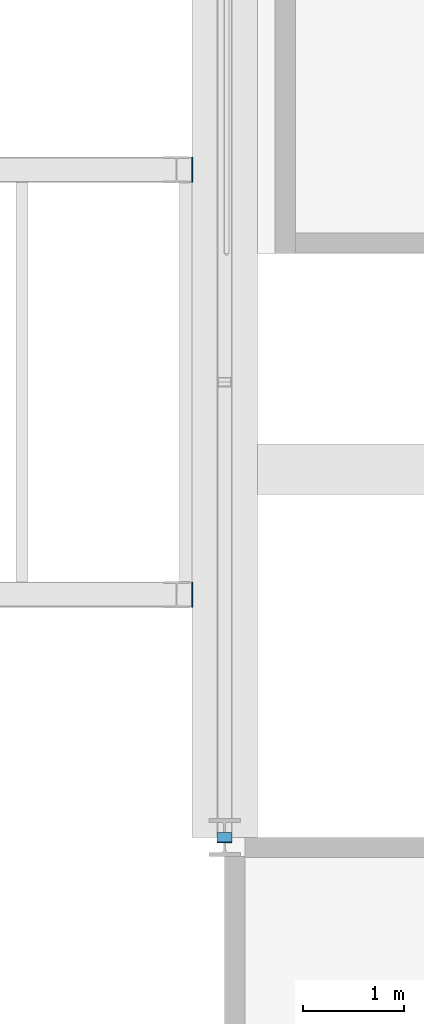
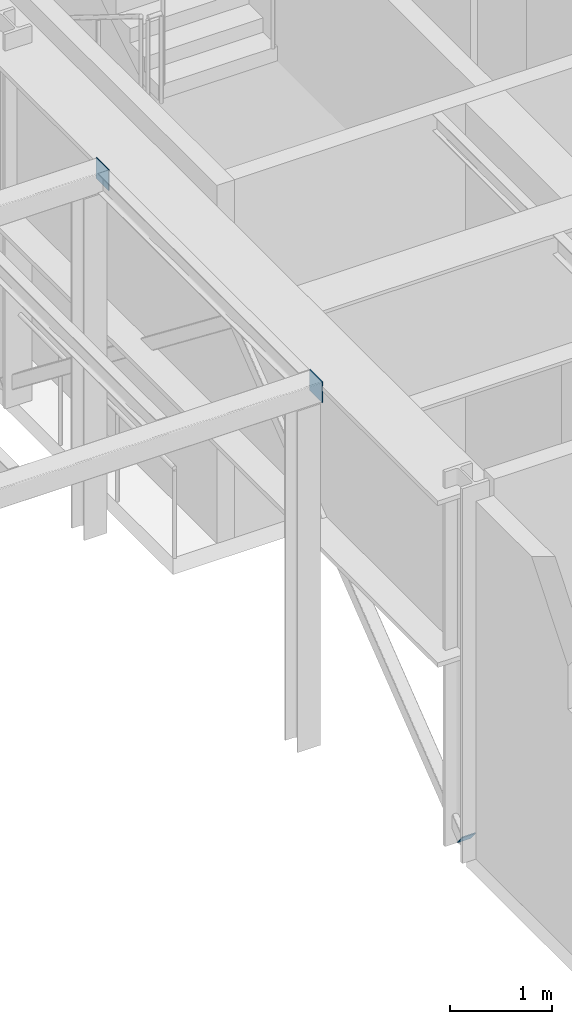
# One storey, part 118 of 153: 3 discrete accessories.
"""IFC4 building model written with IfcOpenShell, lengths in metres."""

from ifc_helpers import new_model, si_unit, direction, frame, origin, origin_2d, place, context, subcontext, project, spatial, rectangle, extrude, material, material_profile, profile_set, type_object, element, save


model = new_model("IFC4")

# Units and contexts
model_context = context("Model", 3, precision=1e-05, world=origin(), true_north=direction((0.0, 1.0)))
body_context = subcontext(model_context, "Body", "Model", "MODEL_VIEW")
ifc_project = project(units=[si_unit("LENGTHUNIT", "METRE"), si_unit("AREAUNIT", "SQUARE_METRE"), si_unit("VOLUMEUNIT", "CUBIC_METRE"), si_unit("PLANEANGLEUNIT", "RADIAN"), si_unit("MASSUNIT", "GRAM", prefix="KILO")], contexts=[model_context])

# Site, building, storey
site_placement = place(None, origin())
site = spatial("IfcSite", under=ifc_project, at=site_placement, CompositionType="ELEMENT")
building_placement = place(site_placement, origin())
building = spatial("IfcBuilding", under=site, at=building_placement, Name="Kallimachos Central Library", CompositionType="ELEMENT")
storey_placement = place(building_placement, frame((0.0, 0.0, 5.39990234375)))
storey = spatial("IfcBuildingStorey", under=building, at=storey_placement, Name="L01", CompositionType="ELEMENT", Elevation=5.39990234375)

# Discrete accessories
ifc_material_1 = material(Name="Steel S355J2", Category="steel")
ifc_material_profile_1 = material_profile(ifc_material_1, rectangle(XDim=0.14990234375, YDim=0.14990234375, at=origin_2d()), Name="End cap plate 10, 150x150")
ifc_profile_set_1 = profile_set([ifc_material_profile_1], Name="Steel S355J2")
discrete_accessory_type_1 = type_object("IfcDiscreteAccessoryType", Name="End cap plate 10, 150x150", PredefinedType="BRACKET", material=ifc_profile_set_1)
discrete_accessory_placement = place(storey_placement, frame((65.5, 95.9921875, 0.14404296875), z_axis=(0.0, 0.788024373725, 0.615644041972), x_axis=(-1.0, 0.0, 0.0)))
element("IfcDiscreteAccessory", 1, at=discrete_accessory_placement, inside=storey, type_object=discrete_accessory_type_1, Name="End cap plate", PredefinedType="BRACKET", context=body_context, shape_type="SweptSolid", body=[
    extrude(rectangle(XDim=0.14990234375, YDim=0.14990234375, at=origin_2d()), origin(), (0.0, 0.0, 1.0), 0.010009765625),
])
ifc_material_2 = material(Name="Steel S355J2", Category="steel")
ifc_material_profile_2 = material_profile(ifc_material_2, rectangle(XDim=0.25, YDim=0.25, at=origin_2d()), Name="End cap plate 10, 250x250")
ifc_profile_set_2 = profile_set([ifc_material_profile_2], Name="Steel S355J2")
discrete_accessory_type_2 = type_object("IfcDiscreteAccessoryType", Name="End cap plate 10, 250x250", PredefinedType="BRACKET", material=ifc_profile_set_2)
for number, where, z_axis, x_axis, name in (
    (2, (65.175048828125, 98.39990234375, 4.22509765625), (1.0, 0.0, 0.0), (0.0, 1.0, 0.0), "End cap plate"),
    (3, (65.175048828125, 102.60009765625, 4.22509765625), (1.0, 0.0, 0.0), (0.0, 1.0, 0.0), "End cap plate"),
):
    element("IfcDiscreteAccessory", number, at=place(storey_placement, frame(where, z_axis=z_axis, x_axis=x_axis)), inside=storey, type_object=discrete_accessory_type_2, Name=name, PredefinedType="BRACKET", context=body_context, shape_type="SweptSolid", body=[
        extrude(rectangle(XDim=0.25, YDim=0.25, at=origin_2d()), origin(), (0.0, 0.0, 1.0), 0.010009765625),
    ])

save(model, "model.ifc")
